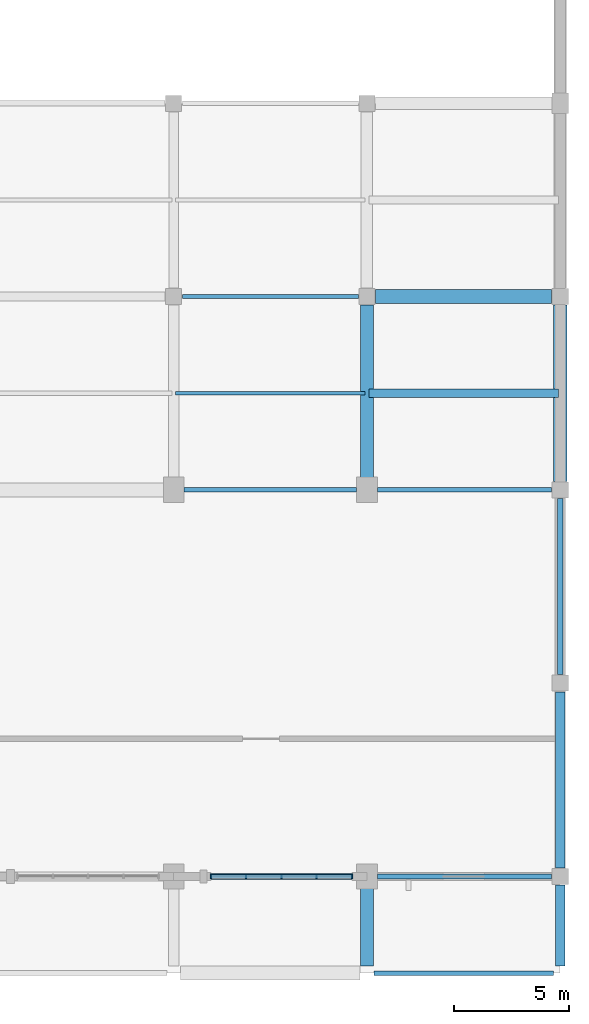
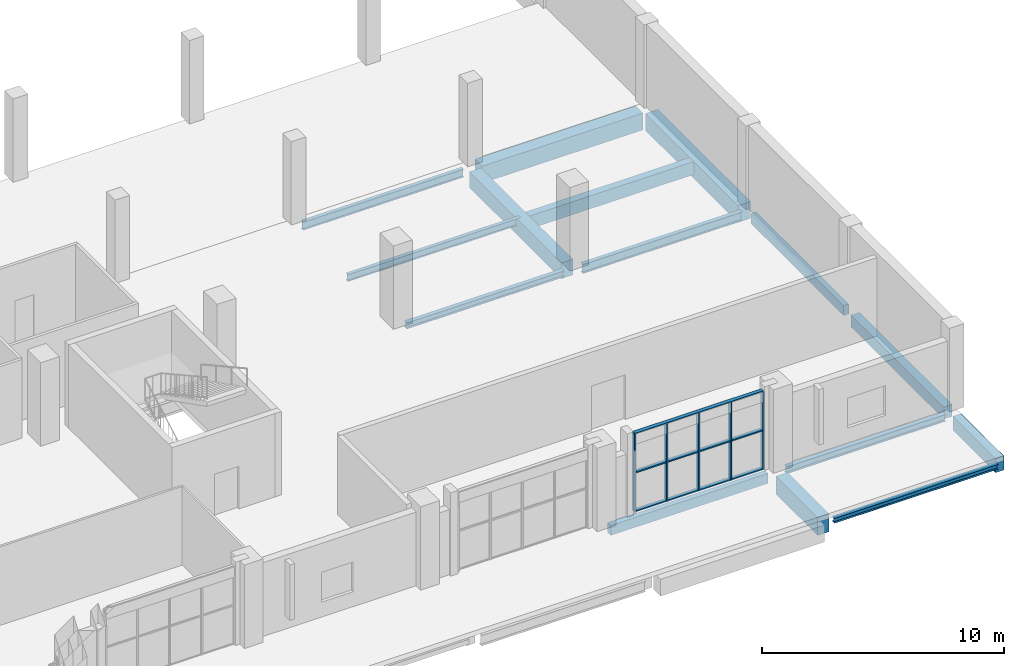
# One storey, part 37 of 59: 15 beams, 8 members, 1 element without a shape of its own.
"""IFC4 building model written with IfcOpenShell, lengths in metres."""

import ifcopenshell
import ifcopenshell.guid

model = None  # the IFC model being written
_history = None  # IfcOwnerHistory: only IFC2X3 demands one
_inside = {}  # id of a spatial element -> (the spatial element, [elements in it])
_under = {}  # id of a project, library or spatial element -> (it, [spatial elements below it])
_declared = {}  # id of a project -> (the project, [libraries it declares])
_typed = {}  # id of a type object -> (the type object, [elements of that type])
_made_of = {}  # id of a material, layer set ... -> (it, [elements and type objects made of it])


def new_model(schema):
    """Start an empty IFC model of exactly this schema.

    Asked for "IFC4X3", IfcOpenShell would pick the latest addendum, in which some entities
    have other attributes; the version numbers below select the first issue.
    IFC2X3 requires an IfcOwnerHistory on every rooted entity: one is made here for all.
    """
    global model, _history
    if schema == "IFC4X3":
        model = ifcopenshell.file(schema_version=(4, 3, 0, 0))
    else:
        model = ifcopenshell.file(schema=schema)
    _inside.clear()
    _under.clear()
    _declared.clear()
    _typed.clear()
    _made_of.clear()
    _history = None
    if model.schema == "IFC2X3":
        org = make("IfcOrganization", Name="unknown")
        user = make(
            "IfcPersonAndOrganization",
            ThePerson=make("IfcPerson", FamilyName="unknown"),
            TheOrganization=org,
        )
        app = make(
            "IfcApplication",
            ApplicationDeveloper=org,
            Version="unknown",
            ApplicationFullName="unknown",
            ApplicationIdentifier="unknown",
        )
        _history = make(
            "IfcOwnerHistory",
            OwningUser=user,
            OwningApplication=app,
            ChangeAction="ADDED",
            CreationDate=0,
        )
    return model


def make(cls, **values):
    """One entity of the class cls with the attributes given. An attribute that is None is left unset."""
    return model.create_entity(
        cls, **{name: value for name, value in values.items() if value is not None}
    )


def rooted(cls, **values):
    """An entity with a GlobalId (a new one), such as an element, a storey or a relation."""
    return make(cls, GlobalId=ifcopenshell.guid.new(), OwnerHistory=_history, **values)


def si_unit(unit_type, name, prefix=None):
    """IfcSIUnit, for example si_unit("LENGTHUNIT", "METRE", prefix="MILLI")."""
    return make("IfcSIUnit", UnitType=unit_type, Prefix=prefix, Name=name)


def derived_unit(unit_type, elements):
    """IfcDerivedUnit: a product of units, each with its exponent."""
    return make(
        "IfcDerivedUnit",
        Elements=[
            make("IfcDerivedUnitElement", Unit=unit, Exponent=power)
            for unit, power in elements
        ],
        UnitType=unit_type,
    )


def assignment(units):
    """IfcUnitAssignment: the units of a project."""
    return None if units is None else make("IfcUnitAssignment", Units=units)


def point(xyz):
    """IfcCartesianPoint."""
    return None if xyz is None else make("IfcCartesianPoint", Coordinates=xyz)


def direction(xyz):
    """IfcDirection."""
    return None if xyz is None else make("IfcDirection", DirectionRatios=xyz)


def frame(location, z_axis=None, x_axis=None):
    """IfcAxis2Placement3D, a coordinate frame: its origin and axes. An axis left out is left unset."""
    return make(
        "IfcAxis2Placement3D",
        Location=point(location),
        Axis=direction(z_axis),
        RefDirection=direction(x_axis),
    )


def frame_2d(location, x_axis=None):
    """IfcAxis2Placement2D, a coordinate frame in the plane: its origin and x axis."""
    return make(
        "IfcAxis2Placement2D", Location=point(location), RefDirection=direction(x_axis)
    )


def origin():
    """The frame at (0, 0, 0) with its axes left unset."""
    return frame((0.0, 0.0, 0.0))


def origin_2d():
    """The frame at (0, 0) in the plane with its x axis left unset."""
    return frame_2d((0.0, 0.0))


def place(relative_to, where):
    """IfcLocalPlacement: puts the frame where relative to a parent placement (None: the world)."""
    return make(
        "IfcLocalPlacement", PlacementRelTo=relative_to, RelativePlacement=where
    )


def context(
    kind, dimensions, precision=None, world=None, true_north=None, identifier=None
):
    """IfcGeometricRepresentationContext, for example the 3D "Model" context."""
    return make(
        "IfcGeometricRepresentationContext",
        ContextIdentifier=identifier,
        ContextType=kind,
        CoordinateSpaceDimension=dimensions,
        Precision=precision,
        WorldCoordinateSystem=world,
        TrueNorth=true_north,
    )


def subcontext(parent, identifier, kind, view, scale=None):
    """IfcGeometricRepresentationSubContext, for example "Body" below "Model"."""
    return make(
        "IfcGeometricRepresentationSubContext",
        ContextIdentifier=identifier,
        ContextType=kind,
        ParentContext=parent,
        TargetScale=scale,
        TargetView=view,
    )


def project(units=None, contexts=None):
    """IfcProject with its units and contexts."""
    return rooted(
        "IfcProject",
        Name="project",
        RepresentationContexts=contexts,
        UnitsInContext=assignment(units),
    )


def spatial(cls, under=None, at=None, **own):
    """A site, building, storey or space (cls), placed at a placement, below another one or the project."""
    s = rooted(cls, ObjectPlacement=at, **own)
    if under is not None:
        _under.setdefault(under.id(), (under, []))[1].append(s)
    return s


def profile(cls, at=None, kind="AREA", **sizes):
    """A parametric profile (cls). Its sizes go by their IFC names, for example OverallWidth=200.0."""
    return make(cls, ProfileType=kind, Position=at, **sizes)


def rectangle(**sizes):
    """IfcRectangleProfileDef."""
    return profile("IfcRectangleProfileDef", **sizes)


def i_section(**sizes):
    """IfcIShapeProfileDef."""
    return profile("IfcIShapeProfileDef", **sizes)


def extrude(swept, where, along, depth):
    """IfcExtrudedAreaSolid: the profile swept, set in the frame where, extruded along a direction by depth."""
    return make(
        "IfcExtrudedAreaSolid",
        SweptArea=swept,
        Position=where,
        ExtrudedDirection=direction(along),
        Depth=depth,
    )


def shape(context_of_items, identifier, shape_type, items):
    """IfcShapeRepresentation: the items that make up one representation, for example the "Body"."""
    return make(
        "IfcShapeRepresentation",
        ContextOfItems=context_of_items,
        RepresentationIdentifier=identifier,
        RepresentationType=shape_type,
        Items=items,
    )


def material(Name=None, Category=None):
    """IfcMaterial."""
    return make("IfcMaterial", Name=Name, Category=Category)


def material_profile(
    of_material, cross_section, Name=None, Category=None, Priority=None
):
    """IfcMaterialProfile: a cross section and its material."""
    return make(
        "IfcMaterialProfile",
        Name=Name,
        Material=of_material,
        Profile=cross_section,
        Priority=Priority,
        Category=Category,
    )


def profile_set(profiles, Name=None, composite=None):
    """IfcMaterialProfileSet."""
    return make(
        "IfcMaterialProfileSet",
        Name=Name,
        MaterialProfiles=profiles,
        CompositeProfile=composite,
    )


def made_of(thing, what):
    """Note that an element or type object is made of a material, layer set ...; save() writes the relation."""
    if what is not None:
        _made_of.setdefault(what.id(), (what, []))[1].append(thing)
    return thing


def type_object(cls, material=None, **own):
    """A type object (cls), such as IfcWallType, which elements share."""
    return made_of(rooted(cls, **own), material)


def element(
    cls,
    number,
    at=None,
    inside=None,
    cuts=None,
    type_object=None,
    material=None,
    context=None,
    identifier="Body",
    shape_type=None,
    held_by="IfcProductDefinitionShape",
    body=None,
    shapes=None,
    **own,
):
    """One element of the class cls, such as IfcWall. Its Tag is "e" and its number.

    at: its placement. inside: the storey or other place that contains it. cuts: it is an
    opening in that element (IfcRelVoidsElement). A single representation is given by context,
    identifier, shape_type and body (its items); several are given by shapes. held_by: the class
    of the entity that holds the representations. save() writes the other relations.
    """
    e = rooted(cls, Tag="e%d" % number, ObjectPlacement=at, **own)
    if body is not None:
        shapes = [shape(context, identifier, shape_type, body)]
    if shapes is not None:
        e.Representation = make(held_by, Representations=shapes)
    if inside is not None:
        _inside.setdefault(inside.id(), (inside, []))[1].append(e)
    if cuts is not None:
        rooted(
            "IfcRelVoidsElement", RelatingBuildingElement=cuts, RelatedOpeningElement=e
        )
    if type_object is not None:
        _typed.setdefault(type_object.id(), (type_object, []))[1].append(e)
    return made_of(e, material)


def aggregate(whole, parts):
    """IfcRelAggregates: a whole, such as a stair, and the parts it consists of."""
    return rooted("IfcRelAggregates", RelatingObject=whole, RelatedObjects=parts)


def save(model, path):
    """Write the relations noted so far, then the file.

    IfcRelAggregates (storeys below a building ...), IfcRelContainedInSpatialStructure (elements
    in a storey), IfcRelDefinesByType, IfcRelAssociatesMaterial and IfcRelDeclares: one each for
    every whole, place, type object, material and project.
    """
    for whole, parts in _under.values():
        aggregate(whole, parts)
    for where, things in _inside.values():
        rooted(
            "IfcRelContainedInSpatialStructure",
            RelatedElements=things,
            RelatingStructure=where,
        )
    for kind, things in _typed.values():
        rooted("IfcRelDefinesByType", RelatedObjects=things, RelatingType=kind)
    for what, things in _made_of.values():
        rooted("IfcRelAssociatesMaterial", RelatedObjects=things, RelatingMaterial=what)
    for by, libraries in _declared.values():
        rooted("IfcRelDeclares", RelatingContext=by, RelatedDefinitions=libraries)
    model.write(path)


model = new_model("IFC4")

# Units and contexts
model_context = context("Model", 3, precision=1e-05, world=origin(), true_north=direction((0.0, 1.0)))
body_context = subcontext(model_context, "Body", "Model", "MODEL_VIEW")
ifc_project = project(units=[si_unit("LENGTHUNIT", "METRE"), si_unit("AREAUNIT", "SQUARE_METRE"), si_unit("VOLUMEUNIT", "CUBIC_METRE"), si_unit("PLANEANGLEUNIT", "RADIAN"), si_unit("MASSUNIT", "GRAM", prefix="KILO"), derived_unit("THERMALTRANSMITTANCEUNIT", [(si_unit("POWERUNIT", "WATT"), 1), (si_unit("LENGTHUNIT", "METRE"), -2), (si_unit("THERMODYNAMICTEMPERATUREUNIT", "KELVIN"), -1)])], contexts=[model_context])

# Site, building, storey
site_placement = place(None, origin())
site = spatial("IfcSite", under=ifc_project, at=site_placement, CompositionType="ELEMENT")
building_placement = place(site_placement, origin())
building = spatial("IfcBuilding", under=site, at=building_placement, Name="Barrovel Congress Hotel", CompositionType="ELEMENT")
storey_placement = place(building_placement, frame((0.0, 0.0, 9.89990234375)))
storey = spatial("IfcBuildingStorey", under=building, at=storey_placement, Name="L02", CompositionType="ELEMENT", Elevation=9.89990234375)

# Beams
ifc_material_1 = material(Name="Concrete C40", Category="concrete")
ifc_material_profile_1 = material_profile(ifc_material_1, rectangle(XDim=0.25, YDim=0.5, at=origin_2d()), Name="RC250x500")
ifc_profile_set_1 = profile_set([ifc_material_profile_1], Name="Concrete C40")
beam_type_1 = type_object("IfcBeamType", Name="BM-RC250x500", PredefinedType="SPANDREL", material=ifc_profile_set_1)
beam_1_placement = place(storey_placement, frame((160.050048828125, 4.199951171875, -0.510009765625), z_axis=(1.0, 0.0, 0.0), x_axis=(0.0, 1.0, 0.0)))
element("IfcBeam", 1, at=beam_1_placement, inside=storey, type_object=beam_type_1, Name="BMX:L02:4.2:159.6-168.0", PredefinedType="SPANDREL", context=body_context, shape_type="SweptSolid", body=[
    extrude(rectangle(XDim=0.25, YDim=0.5, at=origin_2d()), origin(), (0.0, 0.0, 1.0), 7.5),
])
beam_2_placement = place(storey_placement, frame((176.39990234375, 12.97509765625, -0.510009765625), z_axis=(0.0, 1.0, 0.0), x_axis=(-1.0, 0.0, 0.0)))
element("IfcBeam", 2, at=beam_2_placement, inside=storey, type_object=beam_type_1, Name="BMY:L02:176.4:12.6-21.0", PredefinedType="SPANDREL", context=body_context, shape_type="SweptSolid", body=[
    extrude(rectangle(XDim=0.25, YDim=0.5, at=origin_2d()), origin(), (0.0, 0.0, 1.0), 7.64990234375),
])
ifc_material_profile_2 = material_profile(ifc_material_1, rectangle(XDim=0.35009765625, YDim=0.64990234375, at=origin_2d()), Name="RC350x650")
ifc_profile_set_2 = profile_set([ifc_material_profile_2], Name="Concrete C40")
beam_type_2 = type_object("IfcBeamType", Name="BM-RC350x650", PredefinedType="JOIST", material=ifc_profile_set_2)
beam_3_placement = place(storey_placement, frame((168.080078125, 25.199951171875, -0.5849609375), z_axis=(1.0, 0.0, 0.0), x_axis=(0.0, 1.0, 0.0)))
element("IfcBeam", 3, at=beam_3_placement, inside=storey, type_object=beam_type_2, Name="JST:L02:168.0:25.2", PredefinedType="JOIST", context=body_context, shape_type="SweptSolid", body=[
    extrude(rectangle(XDim=0.35009765625, YDim=0.64990234375, at=origin_2d()), origin(), (0.0, 0.0, 1.0), 8.239990234375),
])
ifc_material_profile_3 = material_profile(ifc_material_1, rectangle(XDim=0.39990234375, YDim=0.60009765625, at=origin_2d()), Name="RC400x600")
ifc_profile_set_3 = profile_set([ifc_material_profile_3], Name="Concrete C40")
beam_type_3 = type_object("IfcBeamType", Name="BM-RC400x600", PredefinedType="BEAM", material=ifc_profile_set_3)
beam_4_placement = place(storey_placement, frame((176.39990234375, 4.574951171875, -0.559814453125), z_axis=(0.0, 1.0, 0.0), x_axis=(-1.0, 0.0, 0.0)))
element("IfcBeam", 4, at=beam_4_placement, inside=storey, type_object=beam_type_3, Name="BMY:L02:176.4:4.2-12.6", PredefinedType="BEAM", context=body_context, shape_type="SweptSolid", body=[
    extrude(rectangle(XDim=0.39990234375, YDim=0.60009765625, at=origin_2d()), origin(), (0.0, 0.0, 1.0), 7.650146484375),
])
ifc_material_profile_4 = material_profile(ifc_material_1, rectangle(XDim=0.39990234375, YDim=0.699951171875, at=origin_2d()), Name="RC400x700")
ifc_profile_set_4 = profile_set([ifc_material_profile_4], Name="Concrete C40")
beam_type_4 = type_object("IfcBeamType", Name="BM-RC400x700", PredefinedType="BEAM", material=ifc_profile_set_4)
beam_5_placement = place(storey_placement, frame((176.39990234375, 0.300048828125, -0.60986328125), z_axis=(0.0, 1.0, 0.0), x_axis=(-1.0, 0.0, 0.0)))
element("IfcBeam", 5, at=beam_5_placement, inside=storey, type_object=beam_type_4, Name="BMY:L02:176.4:0.0-4.2", PredefinedType="BEAM", context=body_context, shape_type="SweptSolid", body=[
    extrude(rectangle(XDim=0.39990234375, YDim=0.699951171875, at=origin_2d()), origin(), (0.0, 0.0, 1.0), 3.52490234375),
])
ifc_material_profile_5 = material_profile(ifc_material_1, rectangle(XDim=0.550048828125, YDim=0.800048828125, at=origin_2d()), Name="RC550x800")
ifc_profile_set_5 = profile_set([ifc_material_profile_5], Name="Concrete C40")
beam_type_5 = type_object("IfcBeamType", Name="BM-RC550x800", PredefinedType="BEAM", material=ifc_profile_set_5)
beam_6_placement = place(storey_placement, frame((168.0, 21.449951171875, -0.659912109375), z_axis=(0.0, 1.0, 0.0), x_axis=(-1.0, 0.0, 0.0)))
element("IfcBeam", 6, at=beam_6_placement, inside=storey, type_object=beam_type_5, Name="BMY:L02:168.0:21.0-29.4", PredefinedType="BEAM", context=body_context, shape_type="SweptSolid", body=[
    extrude(rectangle(XDim=0.550048828125, YDim=0.800048828125, at=origin_2d()), origin(), (0.0, 0.0, 1.0), 7.574951171875),
])
ifc_material_profile_6 = material_profile(ifc_material_1, rectangle(XDim=0.550048828125, YDim=0.89990234375, at=origin_2d()), Name="RC550x900")
ifc_profile_set_6 = profile_set([ifc_material_profile_6], Name="Concrete C40")
beam_type_6 = type_object("IfcBeamType", Name="BM-RC550x900", PredefinedType="BEAM", material=ifc_profile_set_6)
beam_7_placement = place(storey_placement, frame((168.0, 0.300048828125, -0.7099609375), z_axis=(0.0, 1.0, 0.0), x_axis=(-1.0, 0.0, 0.0)))
element("IfcBeam", 7, at=beam_7_placement, inside=storey, type_object=beam_type_6, Name="BMY:L02:168.0:0.0-4.2", PredefinedType="BEAM", context=body_context, shape_type="SweptSolid", body=[
    extrude(rectangle(XDim=0.550048828125, YDim=0.89990234375, at=origin_2d()), origin(), (0.0, 0.0, 1.0), 3.449951171875),
])
ifc_material_profile_7 = material_profile(ifc_material_1, rectangle(XDim=0.60009765625, YDim=0.85009765625, at=origin_2d()), Name="RC600x850")
ifc_profile_set_7 = profile_set([ifc_material_profile_7], Name="Concrete C40")
beam_type_7 = type_object("IfcBeamType", Name="BM-RC600x850", PredefinedType="BEAM", material=ifc_profile_set_7)
for number, where, z_axis, x_axis, name in (
    (8, (168.375, 29.39990234375, -0.684814453125), (1.0, 0.0, 0.0), (0.0, 1.0, 0.0), "BMX:L02:29.4:168.0-176.4"),
    (9, (176.39990234375, 21.375, -0.684814453125), (0.0, 1.0, 0.0), (-1.0, 0.0, 0.0), "BMY:L02:176.4:21.0-29.4"),
):
    element("IfcBeam", number, at=place(storey_placement, frame(where, z_axis=z_axis, x_axis=x_axis)), inside=storey, type_object=beam_type_7, Name=name, PredefinedType="BEAM", context=body_context, shape_type="SweptSolid", body=[
        extrude(rectangle(XDim=0.60009765625, YDim=0.85009765625, at=origin_2d()), origin(), (0.0, 0.0, 1.0), 7.64990234375),
    ])

# Curtain wall, members
ifc_material_2 = material(Name="Anodised Aluminium Alloy 6063-T6", Category="aluminium")
curtain_wall_type = type_object("IfcCurtainWallType", Name="CW-ST-7200x3600", PredefinedType="USERDEFINED", material=ifc_material_2)
curtain_wall_placement = place(storey_placement, origin())
curtain_wall = element("IfcCurtainWall", 10, at=curtain_wall_placement, inside=storey, type_object=curtain_wall_type, Name="CW:L02:S:19", ObjectType="STICK CURTAIN WALL", PredefinedType="USERDEFINED")
ifc_material_profile_8 = material_profile(ifc_material_2, rectangle(XDim=0.06494140625, YDim=0.219970703125, at=origin_2d()), Name="AL-M65x220")
ifc_profile_set_8 = profile_set([ifc_material_profile_8], Name="Anodised Aluminium Alloy 6063-T6")
member_type_1 = type_object("IfcMemberType", Name="CWM-AL-M65x220", PredefinedType="MULLION", material=ifc_profile_set_8)
member_1_placement = place(storey_placement, frame((161.219970703125, 4.199951171875, 0.0), z_axis=(0.0, 0.0, 1.0), x_axis=(1.0, 0.0, 0.0)))
member_1 = element("IfcMember", 11, at=member_1_placement, type_object=member_type_1, Name="CW:L02:S:19:M0", PredefinedType="MULLION", context=body_context, shape_type="SweptSolid", body=[
    extrude(rectangle(XDim=0.06494140625, YDim=0.219970703125, at=origin_2d()), origin(), (0.0, 0.0, 1.0), 3.920166015625),
])
member_2_placement = place(storey_placement, frame((162.75, 4.199951171875, 0.0), z_axis=(0.0, 0.0, 1.0), x_axis=(1.0, 0.0, 0.0)))
member_2 = element("IfcMember", 12, at=member_2_placement, type_object=member_type_1, Name="CW:L02:S:19:M1", PredefinedType="MULLION", context=body_context, shape_type="SweptSolid", body=[
    extrude(rectangle(XDim=0.06494140625, YDim=0.219970703125, at=origin_2d()), origin(), (0.0, 0.0, 1.0), 3.920166015625),
])
member_3_placement = place(storey_placement, frame((164.280029296875, 4.199951171875, 0.0), z_axis=(0.0, 0.0, 1.0), x_axis=(1.0, 0.0, 0.0)))
member_3 = element("IfcMember", 13, at=member_3_placement, type_object=member_type_1, Name="CW:L02:S:19:M2", PredefinedType="MULLION", context=body_context, shape_type="SweptSolid", body=[
    extrude(rectangle(XDim=0.06494140625, YDim=0.219970703125, at=origin_2d()), origin(), (0.0, 0.0, 1.0), 3.920166015625),
])
member_4_placement = place(storey_placement, frame((165.81005859375, 4.199951171875, 0.0), z_axis=(0.0, 0.0, 1.0), x_axis=(1.0, 0.0, 0.0)))
member_4 = element("IfcMember", 14, at=member_4_placement, type_object=member_type_1, Name="CW:L02:S:19:M3", PredefinedType="MULLION", context=body_context, shape_type="SweptSolid", body=[
    extrude(rectangle(XDim=0.06494140625, YDim=0.219970703125, at=origin_2d()), origin(), (0.0, 0.0, 1.0), 3.920166015625),
])
member_5_placement = place(storey_placement, frame((167.340087890625, 4.199951171875, 0.0), z_axis=(0.0, 0.0, 1.0), x_axis=(1.0, 0.0, 0.0)))
member_5 = element("IfcMember", 15, at=member_5_placement, type_object=member_type_1, Name="CW:L02:S:19:M4", PredefinedType="MULLION", context=body_context, shape_type="SweptSolid", body=[
    extrude(rectangle(XDim=0.06494140625, YDim=0.219970703125, at=origin_2d()), origin(), (0.0, 0.0, 1.0), 3.920166015625),
])
ifc_material_profile_9 = material_profile(ifc_material_2, rectangle(XDim=0.179931640625, YDim=0.06494140625, at=origin_2d()), Name="AL-T65x180")
ifc_profile_set_9 = profile_set([ifc_material_profile_9], Name="Anodised Aluminium Alloy 6063-T6")
member_type_2 = type_object("IfcMemberType", Name="CWT-AL-T65x180", PredefinedType="USERDEFINED", material=ifc_profile_set_9)
member_6_placement = place(storey_placement, frame((161.219970703125, 4.199951171875, 0.0), z_axis=(1.0, 0.0, 0.0), x_axis=(0.0, 1.0, 0.0)))
member_6 = element("IfcMember", 16, at=member_6_placement, type_object=member_type_2, Name="CW:L02:S:19:T0", ObjectType="TRANSOM", PredefinedType="USERDEFINED", context=body_context, shape_type="SweptSolid", body=[
    extrude(rectangle(XDim=0.179931640625, YDim=0.06494140625, at=origin_2d()), origin(), (0.0, 0.0, 1.0), 6.1201171875),
])
member_7_placement = place(storey_placement, frame((161.219970703125, 4.199951171875, 1.960205078125), z_axis=(1.0, 0.0, 0.0), x_axis=(0.0, 1.0, 0.0)))
member_7 = element("IfcMember", 17, at=member_7_placement, type_object=member_type_2, Name="CW:L02:S:19:T1", ObjectType="TRANSOM", PredefinedType="USERDEFINED", context=body_context, shape_type="SweptSolid", body=[
    extrude(rectangle(XDim=0.179931640625, YDim=0.06494140625, at=origin_2d()), origin(), (0.0, 0.0, 1.0), 6.1201171875),
])
member_8_placement = place(storey_placement, frame((161.219970703125, 4.199951171875, 3.920166015625), z_axis=(1.0, 0.0, 0.0), x_axis=(0.0, 1.0, 0.0)))
member_8 = element("IfcMember", 18, at=member_8_placement, type_object=member_type_2, Name="CW:L02:S:19:T2", ObjectType="TRANSOM", PredefinedType="USERDEFINED", context=body_context, shape_type="SweptSolid", body=[
    extrude(rectangle(XDim=0.179931640625, YDim=0.06494140625, at=origin_2d()), origin(), (0.0, 0.0, 1.0), 6.1201171875),
])
aggregate(curtain_wall, [member_1, member_2, member_3, member_4, member_5, member_6, member_7, member_8])

# Beams
ifc_material_3 = material(Name="Steel ASTM A992 Grade 50", Category="steel")
ifc_material_profile_10 = material_profile(ifc_material_3, i_section(OverallWidth=0.201904296875, OverallDepth=0.2470703125, WebThickness=0.00732421875, FlangeThickness=0.010986328125, FilletRadius=0.011962890625, at=origin_2d()), Name="W250x49")
ifc_profile_set_10 = profile_set([ifc_material_profile_10], Name="Steel ASTM A992 Grade 50")
beam_type_8 = type_object("IfcBeamType", Name="SBM-W250x49", PredefinedType="SPANDREL", material=ifc_profile_set_10)
beam_8_placement = place(storey_placement, frame((168.300048828125, 0.0, -0.38330078125), z_axis=(1.0, 0.0, 0.0), x_axis=(0.0, 1.0, 0.0)))
element("IfcBeam", 19, at=beam_8_placement, inside=storey, type_object=beam_type_8, Name="BMX:L02:0.0:168.0-176.4", PredefinedType="SPANDREL", context=body_context, shape_type="SweptSolid", body=[
    extrude(i_section(OverallWidth=0.201904296875, OverallDepth=0.2470703125, WebThickness=0.00732421875, FlangeThickness=0.010986328125, FilletRadius=0.011962890625, at=origin_2d()), origin(), (0.0, 0.0, 1.0), 7.800048828125),
])
ifc_material_profile_11 = material_profile(ifc_material_3, i_section(OverallWidth=0.205078125, OverallDepth=0.31005859375, WebThickness=0.009521484375, FlangeThickness=0.016357421875, FilletRadius=0.012939453125, at=origin_2d()), Name="W310x74")
ifc_profile_set_11 = profile_set([ifc_material_profile_11], Name="Steel ASTM A992 Grade 50")
beam_type_9 = type_object("IfcBeamType", Name="SBM-W310x74", PredefinedType="SPANDREL", material=ifc_profile_set_11)
beam_9_placement = place(storey_placement, frame((160.050048828125, 21.0, -0.414794921875), z_axis=(1.0, 0.0, 0.0), x_axis=(0.0, 1.0, 0.0)))
element("IfcBeam", 20, at=beam_9_placement, inside=storey, type_object=beam_type_9, Name="BMX:L02:21.0:159.6-168.0", PredefinedType="SPANDREL", context=body_context, shape_type="SweptSolid", body=[
    extrude(i_section(OverallWidth=0.205078125, OverallDepth=0.31005859375, WebThickness=0.009521484375, FlangeThickness=0.016357421875, FilletRadius=0.012939453125, at=origin_2d()), origin(), (0.0, 0.0, 1.0), 7.5),
])
ifc_material_profile_12 = material_profile(ifc_material_3, i_section(OverallWidth=0.1708984375, OverallDepth=0.35205078125, WebThickness=0.0068359375, FlangeThickness=0.009765625, FilletRadius=0.011962890625, at=origin_2d()), Name="W360x44")
ifc_profile_set_12 = profile_set([ifc_material_profile_12], Name="Steel ASTM A992 Grade 50")
beam_type_10 = type_object("IfcBeamType", Name="SBM-W360x44", PredefinedType="JOIST", material=ifc_profile_set_12)
beam_10_placement = place(storey_placement, frame((159.679931640625, 25.199951171875, -0.435791015625), z_axis=(1.0, 0.0, 0.0), x_axis=(0.0, 1.0, 0.0)))
element("IfcBeam", 21, at=beam_10_placement, inside=storey, type_object=beam_type_10, Name="JST:L02:159.6:25.2", PredefinedType="JOIST", context=body_context, shape_type="SweptSolid", body=[
    extrude(i_section(OverallWidth=0.1708984375, OverallDepth=0.35205078125, WebThickness=0.0068359375, FlangeThickness=0.009765625, FilletRadius=0.011962890625, at=origin_2d()), origin(), (0.0, 0.0, 1.0), 8.239990234375),
])
ifc_material_profile_13 = material_profile(ifc_material_3, i_section(OverallWidth=0.205078125, OverallDepth=0.35400390625, WebThickness=0.009521484375, FlangeThickness=0.016845703125, FilletRadius=0.012939453125, at=origin_2d()), Name="W360x79")
ifc_profile_set_13 = profile_set([ifc_material_profile_13], Name="Steel ASTM A992 Grade 50")
beam_type_11 = type_object("IfcBeamType", Name="SBM-W360x79", PredefinedType="BEAM", material=ifc_profile_set_13)
beam_11_placement = place(storey_placement, frame((168.449951171875, 4.199951171875, -0.43701171875), z_axis=(1.0, 0.0, 0.0), x_axis=(0.0, 1.0, 0.0)))
element("IfcBeam", 22, at=beam_11_placement, inside=storey, type_object=beam_type_11, Name="BMX:L02:4.2:168.0-176.4", PredefinedType="BEAM", context=body_context, shape_type="SweptSolid", body=[
    extrude(i_section(OverallWidth=0.205078125, OverallDepth=0.35400390625, WebThickness=0.009521484375, FlangeThickness=0.016845703125, FilletRadius=0.012939453125, at=origin_2d()), origin(), (0.0, 0.0, 1.0), 7.574951171875),
])
ifc_material_profile_14 = material_profile(ifc_material_3, i_section(OverallWidth=0.178955078125, OverallDepth=0.409912109375, WebThickness=0.0087890625, FlangeThickness=0.014404296875, FilletRadius=0.011962890625, at=origin_2d()), Name="W410x67")
ifc_profile_set_14 = profile_set([ifc_material_profile_14], Name="Steel ASTM A992 Grade 50")
beam_type_12 = type_object("IfcBeamType", Name="SBM-W410x67", PredefinedType="BEAM", material=ifc_profile_set_14)
beam_12_placement = place(storey_placement, frame((159.97509765625, 29.39990234375, -0.46484375), z_axis=(1.0, 0.0, 0.0), x_axis=(0.0, 1.0, 0.0)))
element("IfcBeam", 23, at=beam_12_placement, inside=storey, type_object=beam_type_12, Name="BMX:L02:29.4:159.6-168.0", PredefinedType="BEAM", context=body_context, shape_type="SweptSolid", body=[
    extrude(i_section(OverallWidth=0.178955078125, OverallDepth=0.409912109375, WebThickness=0.0087890625, FlangeThickness=0.014404296875, FilletRadius=0.011962890625, at=origin_2d()), origin(), (0.0, 0.0, 1.0), 7.64990234375),
])
ifc_material_profile_15 = material_profile(ifc_material_3, i_section(OverallWidth=0.19091796875, OverallDepth=0.4599609375, WebThickness=0.010009765625, FlangeThickness=0.01611328125, FilletRadius=0.012939453125, at=origin_2d()), Name="W460x82")
ifc_profile_set_15 = profile_set([ifc_material_profile_15], Name="Steel ASTM A992 Grade 50")
beam_type_13 = type_object("IfcBeamType", Name="SBM-W460x82", PredefinedType="BEAM", material=ifc_profile_set_15)
beam_13_placement = place(storey_placement, frame((168.449951171875, 21.0, -0.489990234375), z_axis=(1.0, 0.0, 0.0), x_axis=(0.0, 1.0, 0.0)))
element("IfcBeam", 24, at=beam_13_placement, inside=storey, type_object=beam_type_13, Name="BMX:L02:21.0:168.0-176.4", PredefinedType="BEAM", context=body_context, shape_type="SweptSolid", body=[
    extrude(i_section(OverallWidth=0.19091796875, OverallDepth=0.4599609375, WebThickness=0.010009765625, FlangeThickness=0.01611328125, FilletRadius=0.012939453125, at=origin_2d()), origin(), (0.0, 0.0, 1.0), 7.574951171875),
])

save(model, "model.ifc")
